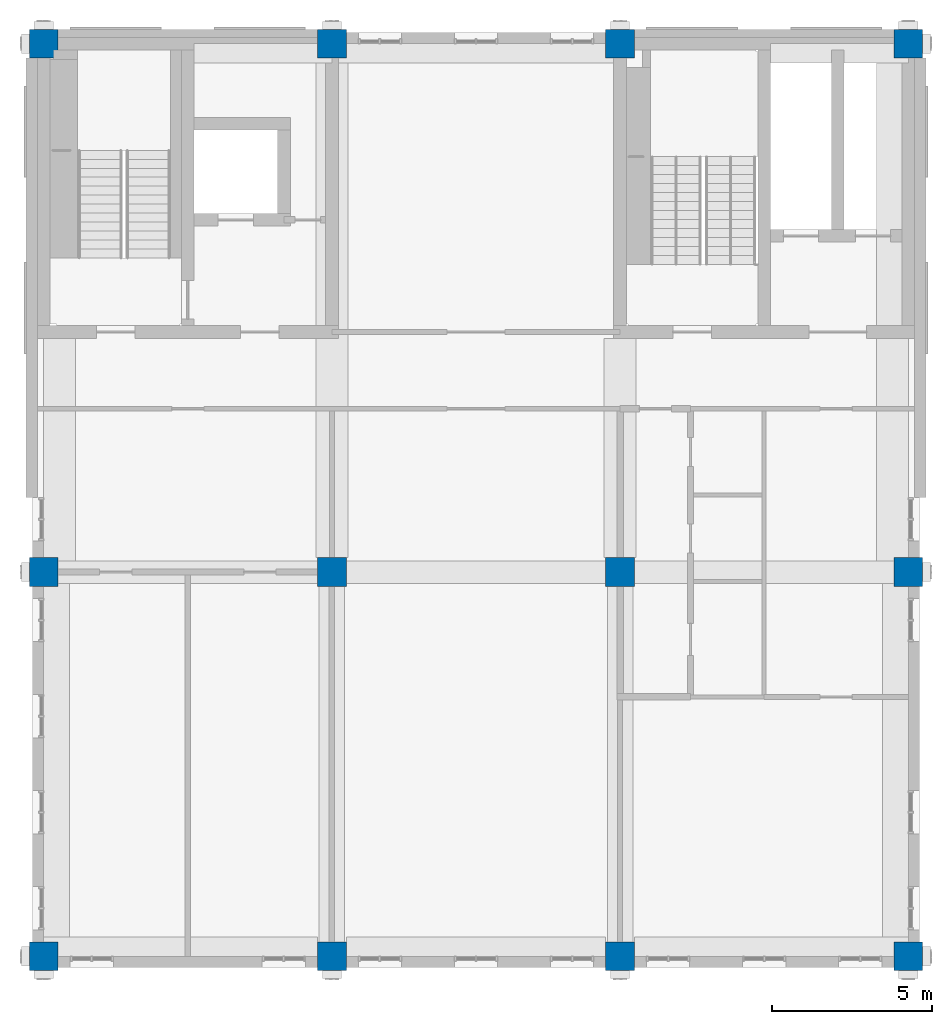
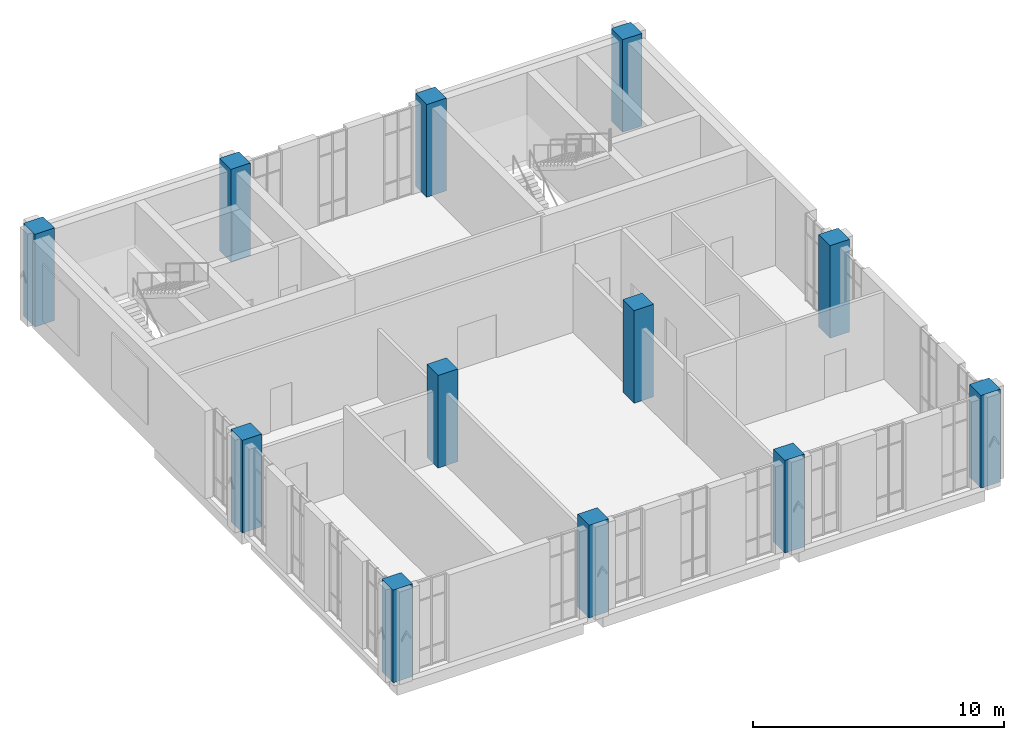
# One storey, part 1 of 13: 12 columns.
"""IFC4 building model written with IfcOpenShell, lengths in metres."""

import ifcopenshell
import ifcopenshell.guid

model = None  # the IFC model being written
_history = None  # IfcOwnerHistory: only IFC2X3 demands one
_inside = {}  # id of a spatial element -> (the spatial element, [elements in it])
_under = {}  # id of a project, library or spatial element -> (it, [spatial elements below it])
_declared = {}  # id of a project -> (the project, [libraries it declares])
_typed = {}  # id of a type object -> (the type object, [elements of that type])
_made_of = {}  # id of a material, layer set ... -> (it, [elements and type objects made of it])


def new_model(schema):
    """Start an empty IFC model of exactly this schema.

    Asked for "IFC4X3", IfcOpenShell would pick the latest addendum, in which some entities
    have other attributes; the version numbers below select the first issue.
    IFC2X3 requires an IfcOwnerHistory on every rooted entity: one is made here for all.
    """
    global model, _history
    if schema == "IFC4X3":
        model = ifcopenshell.file(schema_version=(4, 3, 0, 0))
    else:
        model = ifcopenshell.file(schema=schema)
    _inside.clear()
    _under.clear()
    _declared.clear()
    _typed.clear()
    _made_of.clear()
    _history = None
    if model.schema == "IFC2X3":
        org = make("IfcOrganization", Name="unknown")
        user = make(
            "IfcPersonAndOrganization",
            ThePerson=make("IfcPerson", FamilyName="unknown"),
            TheOrganization=org,
        )
        app = make(
            "IfcApplication",
            ApplicationDeveloper=org,
            Version="unknown",
            ApplicationFullName="unknown",
            ApplicationIdentifier="unknown",
        )
        _history = make(
            "IfcOwnerHistory",
            OwningUser=user,
            OwningApplication=app,
            ChangeAction="ADDED",
            CreationDate=0,
        )
    return model


def make(cls, **values):
    """One entity of the class cls with the attributes given. An attribute that is None is left unset."""
    return model.create_entity(
        cls, **{name: value for name, value in values.items() if value is not None}
    )


def rooted(cls, **values):
    """An entity with a GlobalId (a new one), such as an element, a storey or a relation."""
    return make(cls, GlobalId=ifcopenshell.guid.new(), OwnerHistory=_history, **values)


def si_unit(unit_type, name, prefix=None):
    """IfcSIUnit, for example si_unit("LENGTHUNIT", "METRE", prefix="MILLI")."""
    return make("IfcSIUnit", UnitType=unit_type, Prefix=prefix, Name=name)


def assignment(units):
    """IfcUnitAssignment: the units of a project."""
    return None if units is None else make("IfcUnitAssignment", Units=units)


def point(xyz):
    """IfcCartesianPoint."""
    return None if xyz is None else make("IfcCartesianPoint", Coordinates=xyz)


def direction(xyz):
    """IfcDirection."""
    return None if xyz is None else make("IfcDirection", DirectionRatios=xyz)


def frame(location, z_axis=None, x_axis=None):
    """IfcAxis2Placement3D, a coordinate frame: its origin and axes. An axis left out is left unset."""
    return make(
        "IfcAxis2Placement3D",
        Location=point(location),
        Axis=direction(z_axis),
        RefDirection=direction(x_axis),
    )


def frame_2d(location, x_axis=None):
    """IfcAxis2Placement2D, a coordinate frame in the plane: its origin and x axis."""
    return make(
        "IfcAxis2Placement2D", Location=point(location), RefDirection=direction(x_axis)
    )


def origin():
    """The frame at (0, 0, 0) with its axes left unset."""
    return frame((0.0, 0.0, 0.0))


def origin_2d():
    """The frame at (0, 0) in the plane with its x axis left unset."""
    return frame_2d((0.0, 0.0))


def place(relative_to, where):
    """IfcLocalPlacement: puts the frame where relative to a parent placement (None: the world)."""
    return make(
        "IfcLocalPlacement", PlacementRelTo=relative_to, RelativePlacement=where
    )


def context(
    kind, dimensions, precision=None, world=None, true_north=None, identifier=None
):
    """IfcGeometricRepresentationContext, for example the 3D "Model" context."""
    return make(
        "IfcGeometricRepresentationContext",
        ContextIdentifier=identifier,
        ContextType=kind,
        CoordinateSpaceDimension=dimensions,
        Precision=precision,
        WorldCoordinateSystem=world,
        TrueNorth=true_north,
    )


def subcontext(parent, identifier, kind, view, scale=None):
    """IfcGeometricRepresentationSubContext, for example "Body" below "Model"."""
    return make(
        "IfcGeometricRepresentationSubContext",
        ContextIdentifier=identifier,
        ContextType=kind,
        ParentContext=parent,
        TargetScale=scale,
        TargetView=view,
    )


def project(units=None, contexts=None):
    """IfcProject with its units and contexts."""
    return rooted(
        "IfcProject",
        Name="project",
        RepresentationContexts=contexts,
        UnitsInContext=assignment(units),
    )


def spatial(cls, under=None, at=None, **own):
    """A site, building, storey or space (cls), placed at a placement, below another one or the project."""
    s = rooted(cls, ObjectPlacement=at, **own)
    if under is not None:
        _under.setdefault(under.id(), (under, []))[1].append(s)
    return s


def profile(cls, at=None, kind="AREA", **sizes):
    """A parametric profile (cls). Its sizes go by their IFC names, for example OverallWidth=200.0."""
    return make(cls, ProfileType=kind, Position=at, **sizes)


def rectangle(**sizes):
    """IfcRectangleProfileDef."""
    return profile("IfcRectangleProfileDef", **sizes)


def extrude(swept, where, along, depth):
    """IfcExtrudedAreaSolid: the profile swept, set in the frame where, extruded along a direction by depth."""
    return make(
        "IfcExtrudedAreaSolid",
        SweptArea=swept,
        Position=where,
        ExtrudedDirection=direction(along),
        Depth=depth,
    )


def shape(context_of_items, identifier, shape_type, items):
    """IfcShapeRepresentation: the items that make up one representation, for example the "Body"."""
    return make(
        "IfcShapeRepresentation",
        ContextOfItems=context_of_items,
        RepresentationIdentifier=identifier,
        RepresentationType=shape_type,
        Items=items,
    )


def material(Name=None, Category=None):
    """IfcMaterial."""
    return make("IfcMaterial", Name=Name, Category=Category)


def material_profile(
    of_material, cross_section, Name=None, Category=None, Priority=None
):
    """IfcMaterialProfile: a cross section and its material."""
    return make(
        "IfcMaterialProfile",
        Name=Name,
        Material=of_material,
        Profile=cross_section,
        Priority=Priority,
        Category=Category,
    )


def profile_set(profiles, Name=None, composite=None):
    """IfcMaterialProfileSet."""
    return make(
        "IfcMaterialProfileSet",
        Name=Name,
        MaterialProfiles=profiles,
        CompositeProfile=composite,
    )


def made_of(thing, what):
    """Note that an element or type object is made of a material, layer set ...; save() writes the relation."""
    if what is not None:
        _made_of.setdefault(what.id(), (what, []))[1].append(thing)
    return thing


def type_object(cls, material=None, **own):
    """A type object (cls), such as IfcWallType, which elements share."""
    return made_of(rooted(cls, **own), material)


def element(
    cls,
    number,
    at=None,
    inside=None,
    cuts=None,
    type_object=None,
    material=None,
    context=None,
    identifier="Body",
    shape_type=None,
    held_by="IfcProductDefinitionShape",
    body=None,
    shapes=None,
    **own,
):
    """One element of the class cls, such as IfcWall. Its Tag is "e" and its number.

    at: its placement. inside: the storey or other place that contains it. cuts: it is an
    opening in that element (IfcRelVoidsElement). A single representation is given by context,
    identifier, shape_type and body (its items); several are given by shapes. held_by: the class
    of the entity that holds the representations. save() writes the other relations.
    """
    e = rooted(cls, Tag="e%d" % number, ObjectPlacement=at, **own)
    if body is not None:
        shapes = [shape(context, identifier, shape_type, body)]
    if shapes is not None:
        e.Representation = make(held_by, Representations=shapes)
    if inside is not None:
        _inside.setdefault(inside.id(), (inside, []))[1].append(e)
    if cuts is not None:
        rooted(
            "IfcRelVoidsElement", RelatingBuildingElement=cuts, RelatedOpeningElement=e
        )
    if type_object is not None:
        _typed.setdefault(type_object.id(), (type_object, []))[1].append(e)
    return made_of(e, material)


def aggregate(whole, parts):
    """IfcRelAggregates: a whole, such as a stair, and the parts it consists of."""
    return rooted("IfcRelAggregates", RelatingObject=whole, RelatedObjects=parts)


def save(model, path):
    """Write the relations noted so far, then the file.

    IfcRelAggregates (storeys below a building ...), IfcRelContainedInSpatialStructure (elements
    in a storey), IfcRelDefinesByType, IfcRelAssociatesMaterial and IfcRelDeclares: one each for
    every whole, place, type object, material and project.
    """
    for whole, parts in _under.values():
        aggregate(whole, parts)
    for where, things in _inside.values():
        rooted(
            "IfcRelContainedInSpatialStructure",
            RelatedElements=things,
            RelatingStructure=where,
        )
    for kind, things in _typed.values():
        rooted("IfcRelDefinesByType", RelatedObjects=things, RelatingType=kind)
    for what, things in _made_of.values():
        rooted("IfcRelAssociatesMaterial", RelatedObjects=things, RelatingMaterial=what)
    for by, libraries in _declared.values():
        rooted("IfcRelDeclares", RelatingContext=by, RelatedDefinitions=libraries)
    model.write(path)


model = new_model("IFC4")

# Units and contexts
model_context = context("Model", 3, precision=1e-05, world=origin(), true_north=direction((0.0, 1.0)))
body_context = subcontext(model_context, "Body", "Model", "MODEL_VIEW")
ifc_project = project(units=[si_unit("LENGTHUNIT", "METRE"), si_unit("AREAUNIT", "SQUARE_METRE"), si_unit("VOLUMEUNIT", "CUBIC_METRE"), si_unit("PLANEANGLEUNIT", "RADIAN"), si_unit("MASSUNIT", "GRAM", prefix="KILO")], contexts=[model_context])

# Site, building, storey
site_placement = place(None, origin())
site = spatial("IfcSite", under=ifc_project, at=site_placement, CompositionType="ELEMENT")
building_placement = place(site_placement, origin())
building = spatial("IfcBuilding", under=site, at=building_placement, Name="Aurelan Courthouse", CompositionType="ELEMENT")
storey_placement = place(building_placement, frame((0.0, 0.0, 48.89990234375)))
storey = spatial("IfcBuildingStorey", under=building, at=storey_placement, Name="L09", CompositionType="ELEMENT", Elevation=48.89990234375)

# Columns
ifc_material = material(Name="Concrete C50", Category="concrete")
ifc_material_profile = material_profile(ifc_material, rectangle(XDim=0.89990234375, YDim=0.89990234375, at=origin_2d()), Name="RC 900 x 900")
ifc_profile_set = profile_set([ifc_material_profile], Name="Concrete C50")
column_type = type_object("IfcColumnType", Name="RC column 900 x 900 C50", PredefinedType="COLUMN", material=ifc_profile_set)
for number, where, z_axis, x_axis, name in (
    (1, (0.0, 0.0, 0.0), (0.0, 0.0, 1.0), (1.0, 0.0, 0.0), "Column C-A1-D"),
    (2, (9.0, 0.0, 0.0), (0.0, 0.0, 1.0), (1.0, 0.0, 0.0), "Column C-A2-D"),
    (3, (18.0, 0.0, 0.0), (0.0, 0.0, 1.0), (1.0, 0.0, 0.0), "Column C-A3-D"),
    (4, (27.0, 0.0, 0.0), (0.0, 0.0, 1.0), (1.0, 0.0, 0.0), "Column C-A4-D"),
    (5, (0.0, 12.0, 0.0), (0.0, 0.0, 1.0), (1.0, 0.0, 0.0), "Column C-B1-D"),
    (6, (9.0, 12.0, 0.0), (0.0, 0.0, 1.0), (1.0, 0.0, 0.0), "Column C-B2-D"),
    (7, (18.0, 12.0, 0.0), (0.0, 0.0, 1.0), (1.0, 0.0, 0.0), "Column C-B3-D"),
    (8, (27.0, 12.0, 0.0), (0.0, 0.0, 1.0), (1.0, 0.0, 0.0), "Column C-B4-D"),
    (9, (0.0, 28.5, 0.0), (0.0, 0.0, 1.0), (1.0, 0.0, 0.0), "Column C-C1-D"),
    (10, (9.0, 28.5, 0.0), (0.0, 0.0, 1.0), (1.0, 0.0, 0.0), "Column C-C2-D"),
    (11, (18.0, 28.5, 0.0), (0.0, 0.0, 1.0), (1.0, 0.0, 0.0), "Column C-C3-D"),
    (12, (27.0, 28.5, 0.0), (0.0, 0.0, 1.0), (1.0, 0.0, 0.0), "Column C-C4-D"),
):
    element("IfcColumn", number, at=place(storey_placement, frame(where, z_axis=z_axis, x_axis=x_axis)), inside=storey, type_object=column_type, Name=name, PredefinedType="COLUMN", context=body_context, shape_type="SweptSolid", body=[
        extrude(rectangle(XDim=0.89990234375, YDim=0.89990234375, at=origin_2d()), origin(), (0.0, 0.0, 1.0), 4.5),
    ])

save(model, "model.ifc")
